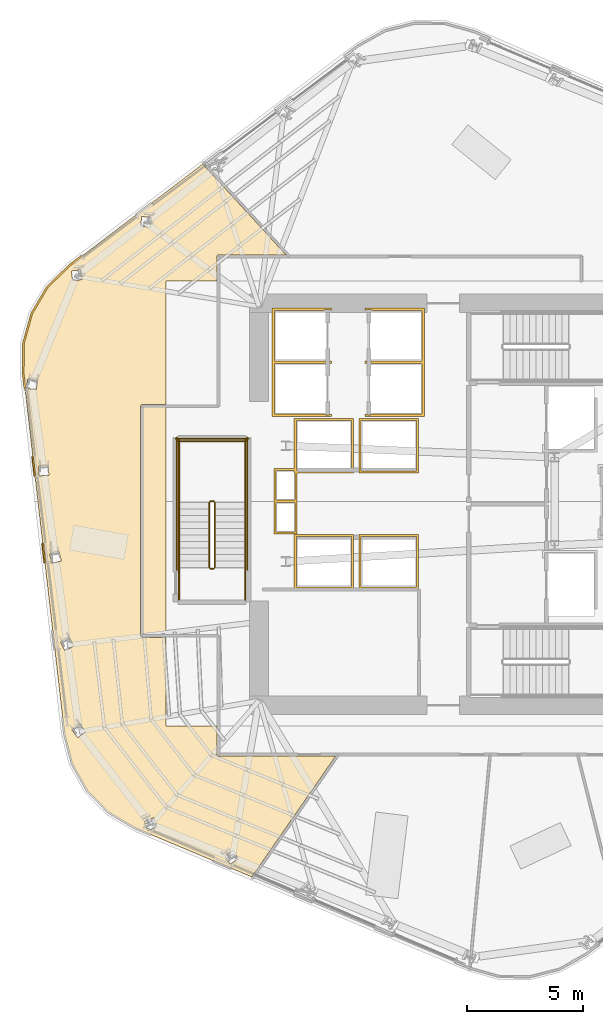
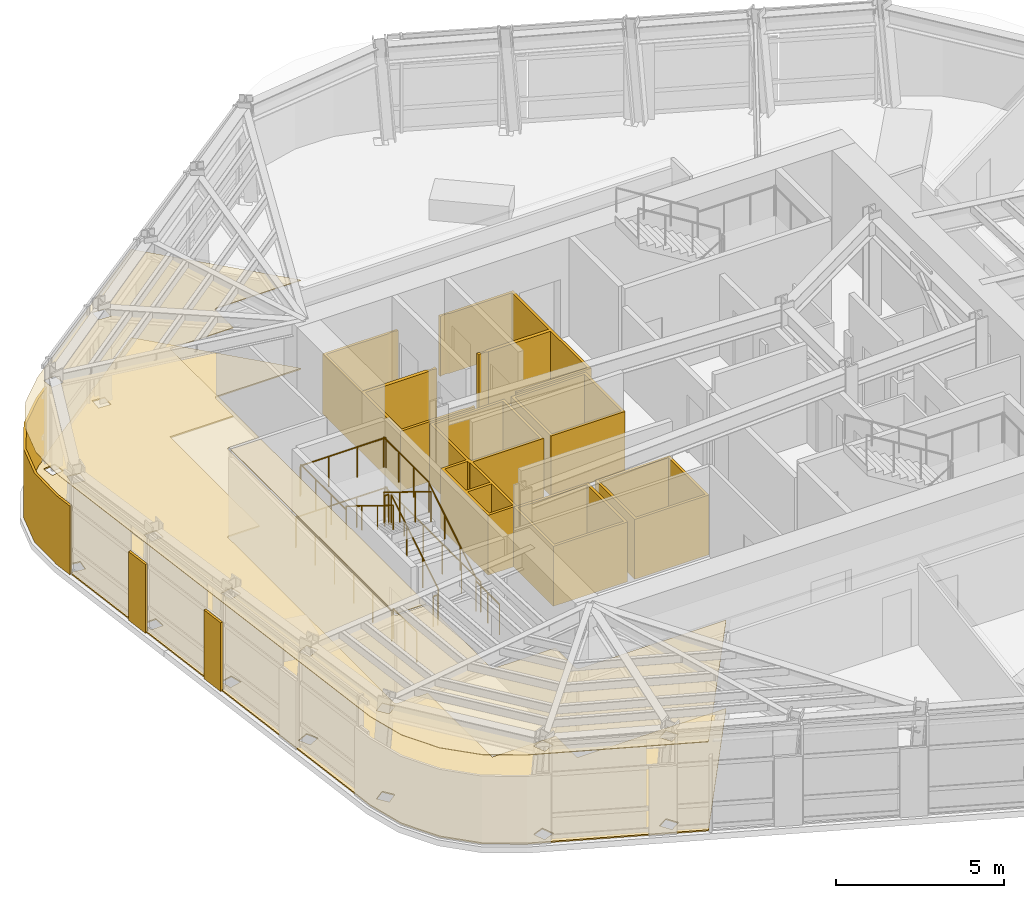
# One storey, part 11 of 14: 14 railings, 12 coverings.
"""IFC4 building model written with IfcOpenShell, lengths in metres."""

from ifc_helpers import new_model, si_unit, direction, frame, origin, origin_2d, place, context, subcontext, project, spatial, polyline, circle, outline, extrude, material, layer, layer_set, type_object, element, save


model = new_model("IFC4")

# Units and contexts
model_context = context("Model", 3, precision=1e-05, world=origin(), true_north=direction((0.0, 1.0)))
body_context = subcontext(model_context, "Body", "Model", "MODEL_VIEW")
ifc_project = project(units=[si_unit("LENGTHUNIT", "METRE"), si_unit("AREAUNIT", "SQUARE_METRE"), si_unit("VOLUMEUNIT", "CUBIC_METRE"), si_unit("PLANEANGLEUNIT", "RADIAN"), si_unit("MASSUNIT", "GRAM", prefix="KILO")], contexts=[model_context])

# Site, building, storey
site_placement = place(None, origin())
site = spatial("IfcSite", under=ifc_project, at=site_placement, CompositionType="ELEMENT")
building_placement = place(site_placement, origin())
building = spatial("IfcBuilding", under=site, at=building_placement, Name="Valkerne Bourse Tower", CompositionType="ELEMENT")
storey_placement = place(building_placement, frame((0.0, 0.0, 181.800048828125)))
storey = spatial("IfcBuildingStorey", under=building, at=storey_placement, Name="L46", CompositionType="ELEMENT", Elevation=181.800048828125)

# Coverings
ifc_material_1 = material(Name="Mineral Fiber Acoustic Ceiling Tile", Category="acoustic")
ifc_layer_1 = layer(ifc_material_1, 0.02490234375)
ifc_layer_set_1 = layer_set([ifc_layer_1], Name="Mineral Fiber Acoustic Ceiling Tile")
covering_type_1 = type_object("IfcCoveringType", Name="COV-CEIL-ACT", PredefinedType="CEILING", material=ifc_layer_set_1)
covering_1_placement = place(storey_placement, frame((0.0, 0.0, 3.22998046875)))
element("IfcCovering", 1, at=covering_1_placement, inside=storey, type_object=covering_type_1, Name="L46 Suspended Ceiling 12", PredefinedType="CEILING", context=body_context, shape_type="SweptSolid", body=[
    extrude(outline(polyline([(30.19287109375, 14.531005859375), (29.545166015625, 15.6806640625), (29.214599609375, 16.967529296875), (27.4365234375, 32.50146484375), (27.450439453125, 33.830810546875), (27.805419921875, 35.101806640625), (28.47705078125, 36.23779296875), (29.427001953125, 37.16796875), (35.177978515625, 41.544189453125), (35.461669921875, 41.235107421875), (35.455322265625, 41.212646484375), (35.491455078125, 41.202392578125), (38.76953125, 37.62890625), (35.849365234375, 37.62890625), (35.81396484375, 37.618896484375), (35.787353515625, 37.589111328125), (35.781005859375, 37.560302734375), (35.781005859375, 36.5), (33.60009765625, 36.5), (33.60009765625, 31.1689453125), (32.54931640625, 31.1689453125), (32.50927734375, 31.156005859375), (32.485107421875, 31.123779296875), (32.48291015625, 21.18359375), (32.50830078125, 21.144775390625), (32.54931640625, 21.131103515625), (33.60009765625, 21.131103515625), (33.60009765625, 17.300048828125), (35.781005859375, 17.300048828125), (35.781005859375, 16.07958984375), (35.790283203125, 16.044921875), (35.814208984375, 16.02099609375), (35.849365234375, 16.010986328125), (40.9052734375, 16.010986328125), (37.29296875, 10.803466796875), (32.259765625, 12.912109375), (31.1162109375, 13.58837890625), (30.19287109375, 14.531005859375)]), holes=[polyline([(36.48046875, 11.93994140625), (36.478271484375, 11.94140625), (36.129150390625, 11.718505859375), (36.3564453125, 11.361083984375), (36.358642578125, 11.359619140625), (36.707763671875, 11.58251953125), (36.48046875, 11.93994140625)]), polyline([(33.045654296875, 13.355712890625), (33.043701171875, 13.35791015625), (32.658935546875, 13.204345703125), (32.81494140625, 12.810546875), (32.81689453125, 12.80859375), (33.20166015625, 12.962158203125), (33.045654296875, 13.355712890625)]), polyline([(30.120361328125, 17.06494140625), (30.118896484375, 17.0673828125), (29.871337890625, 17.39794921875), (29.53125, 17.1435546875), (29.53271484375, 17.14111328125), (29.780517578125, 16.810546875), (30.120361328125, 17.06494140625)]), polyline([(29.6044921875, 20.74755859375), (29.603515625, 20.75), (29.42236328125, 21.121337890625), (29.040771484375, 20.935546875), (29.04150390625, 20.932861328125), (29.222900390625, 20.5615234375), (29.6044921875, 20.74755859375)]), polyline([(29.07568359375, 24.431884765625), (28.97412109375, 24.83251953125), (28.5625, 24.72802734375), (28.562744140625, 24.7255859375), (28.66455078125, 24.324951171875), (29.076171875, 24.42919921875), (29.07568359375, 24.431884765625)]), polyline([(28.537353515625, 28.1201171875), (28.51904296875, 28.53271484375), (28.094970703125, 28.514404296875), (28.0947265625, 28.51171875), (28.11279296875, 28.09912109375), (28.537109375, 28.117431640625), (28.537353515625, 28.1201171875)]), polyline([(27.993408203125, 31.8193359375), (28.052978515625, 32.22802734375), (27.633056640625, 32.28955078125), (27.632080078125, 32.286865234375), (27.572509765625, 31.878173828125), (27.99267578125, 31.816650390625), (27.993408203125, 31.8193359375)]), polyline([(29.974609375, 36.5673828125), (29.923583984375, 36.98779296875), (29.5126953125, 36.939453125), (29.51123046875, 36.93701171875), (29.562255859375, 36.516357421875), (29.973388671875, 36.56494140625), (29.974609375, 36.5673828125)]), polyline([(32.94970703125, 39.25439453125), (32.536865234375, 39.28369140625), (32.534912109375, 39.28173828125), (32.506103515625, 38.85888671875), (32.9189453125, 38.829345703125), (32.920654296875, 38.83154296875), (32.94970703125, 39.25439453125)])]), origin(), (0.0, 0.0, 1.0), 0.02490234375),
])
ifc_material_2 = material(Name="Bronze Anodised Aluminium AA 6063-T6", Category="aluminium")
ifc_layer_2 = layer(ifc_material_2, 0.030029296875)
ifc_layer_set_2 = layer_set([ifc_layer_2], Name="Bronze Anodised Aluminium AA 6063-T6")
covering_type_2 = type_object("IfcCoveringType", Name="COV-CEIL-METAL", PredefinedType="CEILING", material=ifc_layer_set_2)
covering_2_placement = place(storey_placement, frame((0.0, 0.0, 3.22998046875)))
element("IfcCovering", 2, at=covering_2_placement, inside=storey, type_object=covering_type_2, Name="L46 Suspended Ceiling 02", PredefinedType="CEILING", context=body_context, shape_type="SweptSolid", body=[
    extrude(outline(polyline([(32.553955078125, 21.2041015625), (32.553955078125, 31.095947265625), (33.60009765625, 31.095947265625), (33.60009765625, 21.2041015625), (32.553955078125, 21.2041015625)])), origin(), (0.0, 0.0, 1.0), 0.02490234375),
])
ifc_layer_3 = layer(ifc_material_2, 0.06005859375)
ifc_layer_set_3 = layer_set([ifc_layer_3], Name="Bronze Anodised Aluminium AA 6063-T6")
covering_type_3 = type_object("IfcCoveringType", Name="COV-CRN-ALUM", PredefinedType="CLADDING", material=ifc_layer_set_3)
covering_3_placement = place(storey_placement, origin())
element("IfcCovering", 3, at=covering_3_placement, inside=storey, type_object=covering_type_3, Name="L46 Wind-Shaped Corner Aluminium Cladding 11", PredefinedType="CLADDING", context=body_context, shape_type="SweptSolid", body=[
    extrude(outline(polyline([(28.230712890625, 25.17578125), (28.310302734375, 25.185546875), (28.40576171875, 24.35107421875), (28.326416015625, 24.34130859375), (28.230712890625, 25.17578125)])), origin(), (0.0, 0.0, 1.0), 2.5),
])
covering_4_placement = place(storey_placement, origin())
element("IfcCovering", 4, at=covering_4_placement, inside=storey, type_object=covering_type_3, Name="L46 Wind-Shaped Corner Aluminium Cladding 12", PredefinedType="CLADDING", context=body_context, shape_type="SweptSolid", body=[
    extrude(outline(polyline([(27.802001953125, 28.922607421875), (27.88134765625, 28.93212890625), (27.976806640625, 28.09765625), (27.8974609375, 28.087890625), (27.802001953125, 28.922607421875)])), origin(), (0.0, 0.0, 1.0), 2.5),
])
covering_5_placement = place(storey_placement, origin())
element("IfcCovering", 5, at=covering_5_placement, inside=storey, type_object=covering_type_3, Name="L46 Wind-Shaped Corner Aluminium Cladding 13", PredefinedType="CLADDING", context=body_context, shape_type="SweptSolid", body=[
    extrude(outline(polyline([(27.392578125, 32.499267578125), (27.406494140625, 33.837158203125), (27.7646484375, 35.119384765625), (28.442138671875, 36.26513671875), (29.398193359375, 37.201416015625), (29.930419921875, 37.606201171875), (29.978515625, 37.54248046875), (29.45068359375, 37.140625), (28.505615234375, 36.21533203125), (27.8388671875, 35.087646484375), (27.486328125, 33.82568359375), (27.47265625, 32.50341796875), (27.548095703125, 31.84423828125), (27.468505859375, 31.834716796875), (27.392578125, 32.499267578125)])), origin(), (0.0, 0.0, 1.0), 2.5),
])
ifc_material_3 = material(Name="Galvanised Painted Steel", Category="steel")
ifc_layer_4 = layer(ifc_material_3, 0.044921875)
ifc_layer_set_4 = layer_set([ifc_layer_4], Name="Galvanised Painted Steel")
covering_type_4 = type_object("IfcCoveringType", Name="COV-FLR-RAF", PredefinedType="FLOORING", material=ifc_layer_set_4)
covering_6_placement = place(storey_placement, origin())
element("IfcCovering", 6, at=covering_6_placement, inside=storey, type_object=covering_type_4, Name="L46 Floor Finish 12", PredefinedType="FLOORING", context=body_context, shape_type="SweptSolid", body=[
    extrude(outline(polyline([(30.19287109375, 14.531005859375), (29.545166015625, 15.6806640625), (29.214599609375, 16.967529296875), (27.4365234375, 32.50146484375), (27.450439453125, 33.830810546875), (27.805419921875, 35.101806640625), (28.47705078125, 36.23779296875), (29.427001953125, 37.16796875), (35.177978515625, 41.544189453125), (35.461669921875, 41.235107421875), (35.455322265625, 41.212646484375), (35.491455078125, 41.202392578125), (38.76953125, 37.62890625), (35.849365234375, 37.62890625), (35.81396484375, 37.618896484375), (35.787353515625, 37.589111328125), (35.781005859375, 37.560302734375), (35.781005859375, 36.5), (33.60009765625, 36.5), (33.60009765625, 31.1689453125), (32.54931640625, 31.1689453125), (32.50927734375, 31.156005859375), (32.485107421875, 31.123779296875), (32.48291015625, 21.18359375), (32.50830078125, 21.144775390625), (32.54931640625, 21.131103515625), (33.60009765625, 21.131103515625), (33.60009765625, 17.300048828125), (35.781005859375, 17.300048828125), (35.781005859375, 16.07958984375), (35.790283203125, 16.044921875), (35.814208984375, 16.02099609375), (35.849365234375, 16.010986328125), (40.9052734375, 16.010986328125), (37.29296875, 10.803466796875), (32.259765625, 12.912109375), (31.1162109375, 13.58837890625), (30.19287109375, 14.531005859375)]), holes=[polyline([(36.48046875, 11.93994140625), (36.478271484375, 11.94140625), (36.129150390625, 11.718505859375), (36.3564453125, 11.361083984375), (36.358642578125, 11.359619140625), (36.707763671875, 11.58251953125), (36.48046875, 11.93994140625)]), polyline([(33.045654296875, 13.355712890625), (33.043701171875, 13.35791015625), (32.658935546875, 13.204345703125), (32.81494140625, 12.810546875), (32.81689453125, 12.80859375), (33.20166015625, 12.962158203125), (33.045654296875, 13.355712890625)]), polyline([(30.120361328125, 17.06494140625), (30.118896484375, 17.0673828125), (29.871337890625, 17.39794921875), (29.53125, 17.1435546875), (29.53271484375, 17.14111328125), (29.780517578125, 16.810546875), (30.120361328125, 17.06494140625)]), polyline([(29.6044921875, 20.74755859375), (29.603515625, 20.75), (29.42236328125, 21.121337890625), (29.040771484375, 20.935546875), (29.04150390625, 20.932861328125), (29.222900390625, 20.5615234375), (29.6044921875, 20.74755859375)]), polyline([(29.07568359375, 24.431884765625), (28.97412109375, 24.83251953125), (28.5625, 24.72802734375), (28.562744140625, 24.7255859375), (28.66455078125, 24.324951171875), (29.076171875, 24.42919921875), (29.07568359375, 24.431884765625)]), polyline([(28.537353515625, 28.1201171875), (28.51904296875, 28.53271484375), (28.094970703125, 28.514404296875), (28.0947265625, 28.51171875), (28.11279296875, 28.09912109375), (28.537109375, 28.117431640625), (28.537353515625, 28.1201171875)]), polyline([(27.993408203125, 31.8193359375), (28.052978515625, 32.22802734375), (27.633056640625, 32.28955078125), (27.632080078125, 32.286865234375), (27.572509765625, 31.878173828125), (27.99267578125, 31.816650390625), (27.993408203125, 31.8193359375)]), polyline([(29.974609375, 36.5673828125), (29.923583984375, 36.98779296875), (29.5126953125, 36.939453125), (29.51123046875, 36.93701171875), (29.562255859375, 36.516357421875), (29.973388671875, 36.56494140625), (29.974609375, 36.5673828125)]), polyline([(32.94970703125, 39.25439453125), (32.536865234375, 39.28369140625), (32.534912109375, 39.28173828125), (32.506103515625, 38.85888671875), (32.9189453125, 38.829345703125), (32.920654296875, 38.83154296875), (32.94970703125, 39.25439453125)])]), origin(), (0.0, 0.0, 1.0), 0.044921875),
])
ifc_material_4 = material(Name="Gypsum Shaftwall Liner Board", Category="gypsum")
ifc_layer_5 = layer(ifc_material_4, 0.080078125)
ifc_layer_set_5 = layer_set([ifc_layer_5], Name="Gypsum Shaftwall Liner Board")
covering_type_5 = type_object("IfcCoveringType", Name="COV-SHF-CLAD", PredefinedType="CLADDING", material=ifc_layer_set_5)
covering_7_placement = place(storey_placement, origin())
element("IfcCovering", 7, at=covering_7_placement, inside=storey, type_object=covering_type_5, Name="L46 Hoistway & Riser Shaftwall Liner 01", PredefinedType="CLADDING", context=body_context, shape_type="SweptSolid", body=[
    extrude(outline(polyline([(41.679931640625, 25.580078125), (41.679931640625, 23.219970703125), (39.1201171875, 23.219970703125), (39.1201171875, 25.580078125), (41.679931640625, 25.580078125)]), holes=[polyline([(41.590087890625, 25.489990234375), (39.2099609375, 25.489990234375), (39.2099609375, 23.31005859375), (41.590087890625, 23.31005859375), (41.590087890625, 25.489990234375)])]), origin(), (0.0, 0.0, 1.0), 2.179931640625),
])
covering_8_placement = place(storey_placement, origin())
element("IfcCovering", 8, at=covering_8_placement, inside=storey, type_object=covering_type_5, Name="L46 Hoistway & Riser Shaftwall Liner 02", PredefinedType="CLADDING", context=body_context, shape_type="SweptSolid", body=[
    extrude(outline(polyline([(44.47998046875, 23.219970703125), (41.919921875, 23.219970703125), (41.919921875, 25.580078125), (44.47998046875, 25.580078125), (44.47998046875, 23.219970703125)]), holes=[polyline([(42.010009765625, 25.489990234375), (42.010009765625, 23.31005859375), (44.389892578125, 23.31005859375), (44.389892578125, 25.489990234375), (42.010009765625, 25.489990234375)])]), origin(), (0.0, 0.0, 1.0), 2.179931640625),
])
covering_9_placement = place(storey_placement, origin())
element("IfcCovering", 9, at=covering_9_placement, inside=storey, type_object=covering_type_5, Name="L46 Hoistway & Riser Shaftwall Liner 03", PredefinedType="CLADDING", context=body_context, shape_type="SweptSolid", body=[
    extrude(outline(polyline([(38.239990234375, 28.409912109375), (39.1201171875, 28.409912109375), (39.1201171875, 30.580078125), (41.679931640625, 30.580078125), (41.679931640625, 28.219970703125), (39.239990234375, 28.219970703125), (39.239990234375, 27.0400390625), (39.239990234375, 26.9599609375), (39.239990234375, 25.590087890625), (38.239990234375, 25.590087890625), (38.239990234375, 26.9599609375), (38.239990234375, 27.0400390625), (38.239990234375, 28.409912109375)]), holes=[polyline([(38.330078125, 26.949951171875), (38.330078125, 25.679931640625), (39.14990234375, 25.679931640625), (39.14990234375, 26.949951171875), (38.330078125, 26.949951171875)]), polyline([(39.2099609375, 30.489990234375), (39.2099609375, 28.409912109375), (39.239990234375, 28.409912109375), (39.239990234375, 28.31005859375), (41.590087890625, 28.31005859375), (41.590087890625, 30.489990234375), (39.2099609375, 30.489990234375)]), polyline([(38.330078125, 27.050048828125), (39.14990234375, 27.050048828125), (39.14990234375, 28.219970703125), (39.1201171875, 28.219970703125), (39.1201171875, 28.320068359375), (38.330078125, 28.320068359375), (38.330078125, 27.050048828125)])]), origin(), (0.0, 0.0, 1.0), 2.179931640625),
])
covering_10_placement = place(storey_placement, origin())
element("IfcCovering", 10, at=covering_10_placement, inside=storey, type_object=covering_type_5, Name="L46 Hoistway & Riser Shaftwall Liner 04", PredefinedType="CLADDING", context=body_context, shape_type="SweptSolid", body=[
    extrude(outline(polyline([(38.169921875, 35.330078125), (40.72998046875, 35.330078125), (40.72998046875, 35.232177734375), (40.72216796875, 35.235595703125), (40.6806640625, 35.25048828125), (40.6376953125, 35.261474609375), (40.593994140625, 35.267822265625), (40.550048828125, 35.27001953125), (40.505859375, 35.267822265625), (40.462158203125, 35.261474609375), (40.41943359375, 35.25048828125), (40.3896484375, 35.239990234375), (38.260009765625, 35.239990234375), (38.260009765625, 33.06005859375), (40.3896484375, 33.06005859375), (40.41943359375, 33.04931640625), (40.462158203125, 33.03857421875), (40.505859375, 33.0322265625), (40.550048828125, 33.030029296875), (40.593994140625, 33.0322265625), (40.6376953125, 33.03857421875), (40.6806640625, 33.04931640625), (40.72216796875, 33.064208984375), (40.72998046875, 33.06787109375), (40.72998046875, 33.030029296875), (40.72998046875, 32.969970703125), (40.72998046875, 32.93212890625), (40.72216796875, 32.935791015625), (40.6806640625, 32.95068359375), (40.6376953125, 32.96142578125), (40.593994140625, 32.9677734375), (40.550048828125, 32.969970703125), (40.505859375, 32.9677734375), (40.462158203125, 32.96142578125), (40.41943359375, 32.95068359375), (40.3896484375, 32.93994140625), (38.260009765625, 32.93994140625), (38.260009765625, 30.760009765625), (40.3896484375, 30.760009765625), (40.41943359375, 30.74951171875), (40.462158203125, 30.738525390625), (40.505859375, 30.732177734375), (40.550048828125, 30.72998046875), (40.593994140625, 30.732177734375), (40.6376953125, 30.738525390625), (40.6806640625, 30.74951171875), (40.72216796875, 30.764404296875), (40.72998046875, 30.767822265625), (40.72998046875, 30.669921875), (38.169921875, 30.669921875), (38.169921875, 32.969970703125), (38.169921875, 33.030029296875), (38.169921875, 35.330078125)])), origin(), (0.0, 0.0, 1.0), 2.179931640625),
])
covering_11_placement = place(storey_placement, origin())
element("IfcCovering", 11, at=covering_11_placement, inside=storey, type_object=covering_type_5, Name="L46 Hoistway & Riser Shaftwall Liner 07", PredefinedType="CLADDING", context=body_context, shape_type="SweptSolid", body=[
    extrude(outline(polyline([(44.47998046875, 28.219970703125), (41.919921875, 28.219970703125), (41.919921875, 30.580078125), (44.47998046875, 30.580078125), (44.47998046875, 28.219970703125)]), holes=[polyline([(42.010009765625, 30.489990234375), (42.010009765625, 28.31005859375), (44.389892578125, 28.31005859375), (44.389892578125, 30.489990234375), (42.010009765625, 30.489990234375)])]), origin(), (0.0, 0.0, 1.0), 2.179931640625),
])
covering_12_placement = place(storey_placement, origin())
element("IfcCovering", 12, at=covering_12_placement, inside=storey, type_object=covering_type_5, Name="L46 Hoistway & Riser Shaftwall Liner 09", PredefinedType="CLADDING", context=body_context, shape_type="SweptSolid", body=[
    extrude(outline(polyline([(42.169921875, 33.06787109375), (42.177734375, 33.064208984375), (42.219482421875, 33.04931640625), (42.26220703125, 33.03857421875), (42.305908203125, 33.0322265625), (42.35009765625, 33.030029296875), (42.39404296875, 33.0322265625), (42.437744140625, 33.03857421875), (42.480712890625, 33.04931640625), (42.51025390625, 33.06005859375), (44.639892578125, 33.06005859375), (44.639892578125, 35.239990234375), (42.51025390625, 35.239990234375), (42.480712890625, 35.25048828125), (42.437744140625, 35.261474609375), (42.39404296875, 35.267822265625), (42.35009765625, 35.27001953125), (42.305908203125, 35.267822265625), (42.26220703125, 35.261474609375), (42.219482421875, 35.25048828125), (42.177734375, 35.235595703125), (42.169921875, 35.232177734375), (42.169921875, 35.330078125), (44.72998046875, 35.330078125), (44.72998046875, 33.030029296875), (44.72998046875, 32.969970703125), (44.72998046875, 30.669921875), (42.169921875, 30.669921875), (42.169921875, 30.767822265625), (42.177734375, 30.764404296875), (42.219482421875, 30.74951171875), (42.26220703125, 30.738525390625), (42.305908203125, 30.732177734375), (42.35009765625, 30.72998046875), (42.39404296875, 30.732177734375), (42.437744140625, 30.738525390625), (42.480712890625, 30.74951171875), (42.51025390625, 30.760009765625), (44.639892578125, 30.760009765625), (44.639892578125, 32.93994140625), (42.51025390625, 32.93994140625), (42.480712890625, 32.95068359375), (42.437744140625, 32.96142578125), (42.39404296875, 32.9677734375), (42.35009765625, 32.969970703125), (42.305908203125, 32.9677734375), (42.26220703125, 32.96142578125), (42.219482421875, 32.95068359375), (42.177734375, 32.935791015625), (42.169921875, 32.93212890625), (42.169921875, 32.969970703125), (42.169921875, 33.030029296875), (42.169921875, 33.06787109375)])), origin(), (0.0, 0.0, 1.0), 2.179931640625),
])

# Railings
railing_type_1 = type_object("IfcRailingType", Name="RLG-ST-GUARD-1120", PredefinedType="GUARDRAIL", material=ifc_material_3)
railing_1_placement = place(storey_placement, frame((35.699951171875, 24.14990234375, 0.172607421875)))
element("IfcRailing", 13, at=railing_1_placement, inside=storey, type_object=railing_type_1, Name="L46 ST-3 stair guard 1", PredefinedType="GUARDRAIL", context=body_context, shape_type="SweptSolid", body=[
    extrude(circle(Radius=0.02392578125, at=origin_2d()), frame((0.0, 0.0, 1.09619140625), z_axis=(0.0, 0.851089632645, 0.525020415988), x_axis=(-1.0, 0.0, 0.0)), (0.0, 0.0, 1.0), 3.2900390625),
    extrude(circle(Radius=0.02099609375, at=origin_2d()), origin(), (0.0, 0.0, 1.0), 1.072021484375),
    extrude(circle(Radius=0.02099609375, at=origin_2d()), frame((0.0, 0.933349609375, 0.57568359375)), (0.0, 0.0, 1.0), 1.072021484375),
    extrude(circle(Radius=0.02099609375, at=origin_2d()), frame((0.0, 1.86669921875, 1.151611328125)), (0.0, 0.0, 1.0), 1.072021484375),
    extrude(circle(Radius=0.02099609375, at=origin_2d()), frame((0.0, 2.800048828125, 1.727294921875)), (0.0, 0.0, 1.0), 1.072021484375),
])
railing_2_placement = place(storey_placement, frame((35.64990234375, 27.0, 1.89990234375)))
element("IfcRailing", 14, at=railing_2_placement, inside=storey, type_object=railing_type_1, Name="L46 ST-3 stair guard 2", PredefinedType="GUARDRAIL", context=body_context, shape_type="SweptSolid", body=[
    extrude(circle(Radius=0.02392578125, at=origin_2d()), frame((0.0, 0.0, 1.09619140625), z_axis=(-1.0, 0.0, 0.0), x_axis=(0.0, -1.0, 0.0)), (0.0, 0.0, 1.0), 0.14990234375),
    extrude(circle(Radius=0.02099609375, at=origin_2d()), origin(), (0.0, 0.0, 1.0), 1.072021484375),
    extrude(circle(Radius=0.02099609375, at=origin_2d()), frame((-0.14990234375, 0.0, 0.0)), (0.0, 0.0, 1.0), 1.072021484375),
])
for number, where, name in (
    (15, (37.0, 26.949951171875, 1.89990234375), "L46 ST-3 stair guard 3"),
    (16, (34.14990234375, 26.949951171875, 1.89990234375), "L46 ST-3 stair guard 4"),
):
    element("IfcRailing", number, at=place(storey_placement, frame(where)), inside=storey, type_object=railing_type_1, Name=name, PredefinedType="GUARDRAIL", context=body_context, shape_type="SweptSolid", body=[
        extrude(circle(Radius=0.02392578125, at=origin_2d()), frame((0.0, 0.0, 1.09619140625), z_axis=(0.0, 1.0, 0.0), x_axis=(-1.0, 0.0, 0.0)), (0.0, 0.0, 1.0), 2.699951171875),
        extrude(circle(Radius=0.02099609375, at=origin_2d()), origin(), (0.0, 0.0, 1.0), 1.072021484375),
        extrude(circle(Radius=0.02099609375, at=origin_2d()), frame((0.0, 0.89990234375, 0.0)), (0.0, 0.0, 1.0), 1.072021484375),
        extrude(circle(Radius=0.02099609375, at=origin_2d()), frame((0.0, 1.800048828125, 0.0)), (0.0, 0.0, 1.0), 1.072021484375),
        extrude(circle(Radius=0.02099609375, at=origin_2d()), frame((0.0, 2.699951171875, 0.0)), (0.0, 0.0, 1.0), 1.072021484375),
    ])
railing_3_placement = place(storey_placement, frame((37.050048828125, 29.60009765625, 1.89990234375)))
element("IfcRailing", 17, at=railing_3_placement, inside=storey, type_object=railing_type_1, Name="L46 ST-3 stair guard 5", PredefinedType="GUARDRAIL", context=body_context, shape_type="SweptSolid", body=[
    extrude(circle(Radius=0.02392578125, at=origin_2d()), frame((0.0, 0.0, 1.09619140625), z_axis=(-1.0, 0.0, 0.0), x_axis=(0.0, -1.0, 0.0)), (0.0, 0.0, 1.0), 2.949951171875),
    extrude(circle(Radius=0.02099609375, at=origin_2d()), origin(), (0.0, 0.0, 1.0), 1.072021484375),
    extrude(circle(Radius=0.02099609375, at=origin_2d()), frame((-0.9833984375, 0.0, 0.0)), (0.0, 0.0, 1.0), 1.072021484375),
    extrude(circle(Radius=0.02099609375, at=origin_2d()), frame((-1.966552734375, 0.0, 0.0)), (0.0, 0.0, 1.0), 1.072021484375),
    extrude(circle(Radius=0.02099609375, at=origin_2d()), frame((-2.949951171875, 0.0, 0.0)), (0.0, 0.0, 1.0), 1.072021484375),
])
railing_4_placement = place(storey_placement, frame((35.449951171875, 26.949951171875, 2.07275390625)))
element("IfcRailing", 18, at=railing_4_placement, inside=storey, type_object=railing_type_1, Name="L46 ST-3 stair guard 6", PredefinedType="GUARDRAIL", context=body_context, shape_type="SweptSolid", body=[
    extrude(circle(Radius=0.02392578125, at=origin_2d()), frame((0.0, 0.0, 1.09619140625), z_axis=(0.0, -0.851089632645, 0.525020415988), x_axis=(1.0, 0.0, 0.0)), (0.0, 0.0, 1.0), 3.2900390625),
    extrude(circle(Radius=0.02099609375, at=origin_2d()), origin(), (0.0, 0.0, 1.0), 1.072021484375),
    extrude(circle(Radius=0.02099609375, at=origin_2d()), frame((0.0, -0.933349609375, 0.57568359375)), (0.0, 0.0, 1.0), 1.072021484375),
    extrude(circle(Radius=0.02099609375, at=origin_2d()), frame((0.0, -1.86669921875, 1.151611328125)), (0.0, 0.0, 1.0), 1.072021484375),
    extrude(circle(Radius=0.02099609375, at=origin_2d()), frame((0.0, -2.800048828125, 1.727294921875)), (0.0, 0.0, 1.0), 1.072021484375),
])
railing_5_placement = place(storey_placement, frame((35.64990234375, 24.10009765625, 0.0)))
element("IfcRailing", 19, at=railing_5_placement, inside=storey, type_object=railing_type_1, Name="L46 ST-3 stair guard 7", PredefinedType="GUARDRAIL", context=body_context, shape_type="SweptSolid", body=[
    extrude(circle(Radius=0.02392578125, at=origin_2d()), frame((0.0, 0.0, 1.09619140625), z_axis=(-1.0, 0.0, 0.0), x_axis=(0.0, -1.0, 0.0)), (0.0, 0.0, 1.0), 0.14990234375),
    extrude(circle(Radius=0.02099609375, at=origin_2d()), origin(), (0.0, 0.0, 1.0), 1.072021484375),
    extrude(circle(Radius=0.02099609375, at=origin_2d()), frame((-0.14990234375, 0.0, 0.0)), (0.0, 0.0, 1.0), 1.072021484375),
])
for number, where, name in (
    (20, (37.0, 22.75, 0.0), "L46 ST-3 stair guard 8"),
    (21, (34.14990234375, 22.75, 0.0), "L46 ST-3 stair guard 9"),
):
    element("IfcRailing", number, at=place(storey_placement, frame(where)), inside=storey, type_object=railing_type_1, Name=name, PredefinedType="GUARDRAIL", context=body_context, shape_type="SweptSolid", body=[
        extrude(circle(Radius=0.02392578125, at=origin_2d()), frame((0.0, 0.0, 1.09619140625), z_axis=(0.0, 1.0, 0.0), x_axis=(-1.0, 0.0, 0.0)), (0.0, 0.0, 1.0), 1.39990234375),
        extrude(circle(Radius=0.02099609375, at=origin_2d()), origin(), (0.0, 0.0, 1.0), 1.072021484375),
        extrude(circle(Radius=0.02099609375, at=origin_2d()), frame((0.0, 0.699951171875, 0.0)), (0.0, 0.0, 1.0), 1.072021484375),
        extrude(circle(Radius=0.02099609375, at=origin_2d()), frame((0.0, 1.39990234375, 0.0)), (0.0, 0.0, 1.0), 1.072021484375),
    ])
for number, where, name in (
    (22, (37.10009765625, 24.050048828125, 0.0), "L46 ST-3 stair guard 10"),
    (23, (34.050048828125, 24.050048828125, 0.0), "L46 ST-3 stair guard 11"),
):
    element("IfcRailing", number, at=place(storey_placement, frame(where)), inside=storey, type_object=railing_type_1, Name=name, PredefinedType="GUARDRAIL", context=body_context, shape_type="SweptSolid", body=[
        extrude(circle(Radius=0.02392578125, at=origin_2d()), frame((0.0, 0.0, 1.09619140625), z_axis=(0.0, 1.0, 0.0), x_axis=(-1.0, 0.0, 0.0)), (0.0, 0.0, 1.0), 5.699951171875),
        extrude(circle(Radius=0.02099609375, at=origin_2d()), origin(), (0.0, 0.0, 1.0), 1.072021484375),
        extrude(circle(Radius=0.02099609375, at=origin_2d()), frame((0.0, 1.139892578125, 0.0)), (0.0, 0.0, 1.0), 1.072021484375),
        extrude(circle(Radius=0.02099609375, at=origin_2d()), frame((0.0, 2.280029296875, 0.0)), (0.0, 0.0, 1.0), 1.072021484375),
        extrude(circle(Radius=0.02099609375, at=origin_2d()), frame((0.0, 3.419921875, 0.0)), (0.0, 0.0, 1.0), 1.072021484375),
        extrude(circle(Radius=0.02099609375, at=origin_2d()), frame((0.0, 4.56005859375, 0.0)), (0.0, 0.0, 1.0), 1.072021484375),
        extrude(circle(Radius=0.02099609375, at=origin_2d()), frame((0.0, 5.699951171875, 0.0)), (0.0, 0.0, 1.0), 1.072021484375),
    ])
railing_6_placement = place(storey_placement, frame((37.14990234375, 29.699951171875, 0.0)))
element("IfcRailing", 24, at=railing_6_placement, inside=storey, type_object=railing_type_1, Name="L46 ST-3 stair guard 12", PredefinedType="GUARDRAIL", context=body_context, shape_type="SweptSolid", body=[
    extrude(circle(Radius=0.02392578125, at=origin_2d()), frame((0.0, 0.0, 1.09619140625), z_axis=(-1.0, 0.0, 0.0), x_axis=(0.0, -1.0, 0.0)), (0.0, 0.0, 1.0), 3.14990234375),
    extrude(circle(Radius=0.02099609375, at=origin_2d()), origin(), (0.0, 0.0, 1.0), 1.072021484375),
    extrude(circle(Radius=0.02099609375, at=origin_2d()), frame((-1.050048828125, 0.0, 0.0)), (0.0, 0.0, 1.0), 1.072021484375),
    extrude(circle(Radius=0.02099609375, at=origin_2d()), frame((-2.099853515625, 0.0, 0.0)), (0.0, 0.0, 1.0), 1.072021484375),
    extrude(circle(Radius=0.02099609375, at=origin_2d()), frame((-3.14990234375, 0.0, 0.0)), (0.0, 0.0, 1.0), 1.072021484375),
])
ifc_material_5 = material(Name="Stainless Steel AISI 316", Category="steel")
railing_type_2 = type_object("IfcRailingType", Name="RLG-ST-HANDRAIL-900", PredefinedType="HANDRAIL", material=ifc_material_5)
railing_7_placement = place(storey_placement, frame((37.0, 24.14990234375, 0.345458984375)))
element("IfcRailing", 25, at=railing_7_placement, inside=storey, type_object=railing_type_2, Name="L46 ST-3 stair handrail 1", PredefinedType="HANDRAIL", context=body_context, shape_type="SweptSolid", body=[
    extrude(circle(Radius=0.02392578125, at=origin_2d()), frame((0.0, 0.0, 0.8759765625), z_axis=(0.0, 0.851089632645, 0.525020415988), x_axis=(-1.0, 0.0, 0.0)), (0.0, 0.0, 1.0), 3.2900390625),
    extrude(circle(Radius=0.02099609375, at=origin_2d()), origin(), (0.0, 0.0, 1.0), 0.851806640625),
    extrude(circle(Radius=0.02099609375, at=origin_2d()), frame((0.0, 0.933349609375, 0.57568359375)), (0.0, 0.0, 1.0), 0.851806640625),
    extrude(circle(Radius=0.02099609375, at=origin_2d()), frame((0.0, 1.86669921875, 1.151611328125)), (0.0, 0.0, 1.0), 0.851806640625),
    extrude(circle(Radius=0.02099609375, at=origin_2d()), frame((0.0, 2.800048828125, 1.727294921875)), (0.0, 0.0, 1.0), 0.851806640625),
])
railing_8_placement = place(storey_placement, frame((34.14990234375, 26.949951171875, 2.245361328125)))
element("IfcRailing", 26, at=railing_8_placement, inside=storey, type_object=railing_type_2, Name="L46 ST-3 stair handrail 2", PredefinedType="HANDRAIL", context=body_context, shape_type="SweptSolid", body=[
    extrude(circle(Radius=0.02392578125, at=origin_2d()), frame((0.0, 0.0, 0.8759765625), z_axis=(0.0, -0.851089632645, 0.525020415988), x_axis=(1.0, 0.0, 0.0)), (0.0, 0.0, 1.0), 3.2900390625),
    extrude(circle(Radius=0.02099609375, at=origin_2d()), origin(), (0.0, 0.0, 1.0), 0.851806640625),
    extrude(circle(Radius=0.02099609375, at=origin_2d()), frame((0.0, -0.933349609375, 0.57568359375)), (0.0, 0.0, 1.0), 0.851806640625),
    extrude(circle(Radius=0.02099609375, at=origin_2d()), frame((0.0, -1.86669921875, 1.151611328125)), (0.0, 0.0, 1.0), 0.851806640625),
    extrude(circle(Radius=0.02099609375, at=origin_2d()), frame((0.0, -2.800048828125, 1.727294921875)), (0.0, 0.0, 1.0), 0.851806640625),
])

save(model, "model.ifc")
